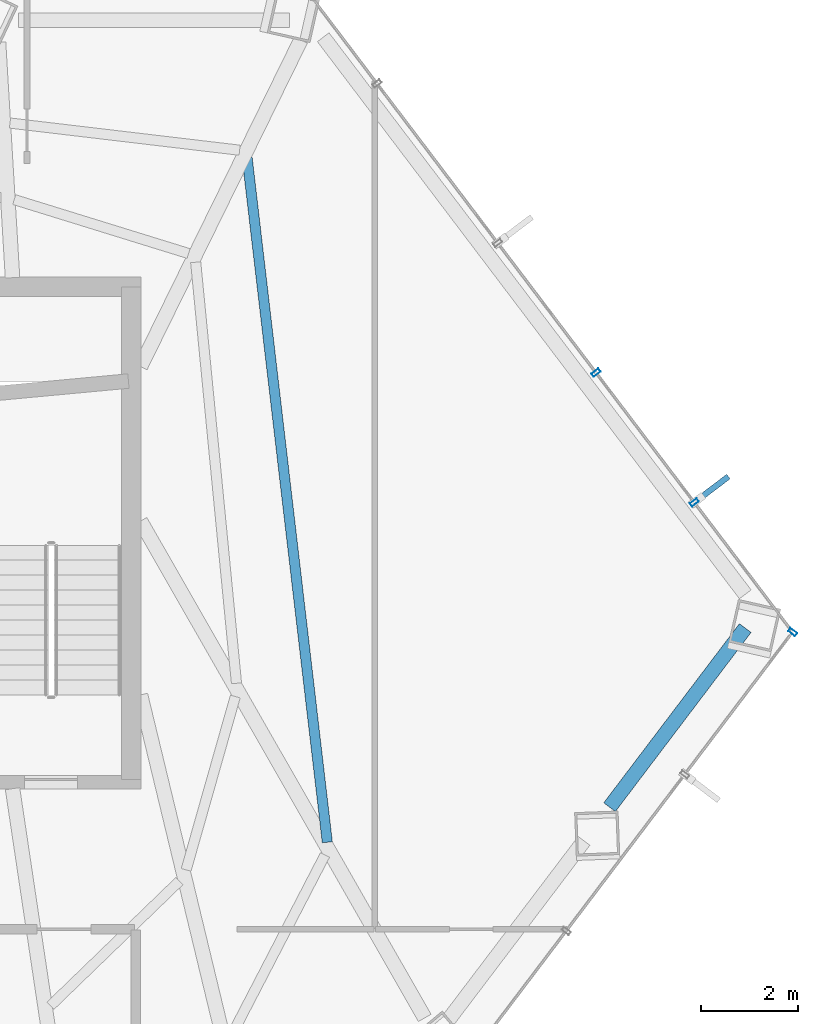
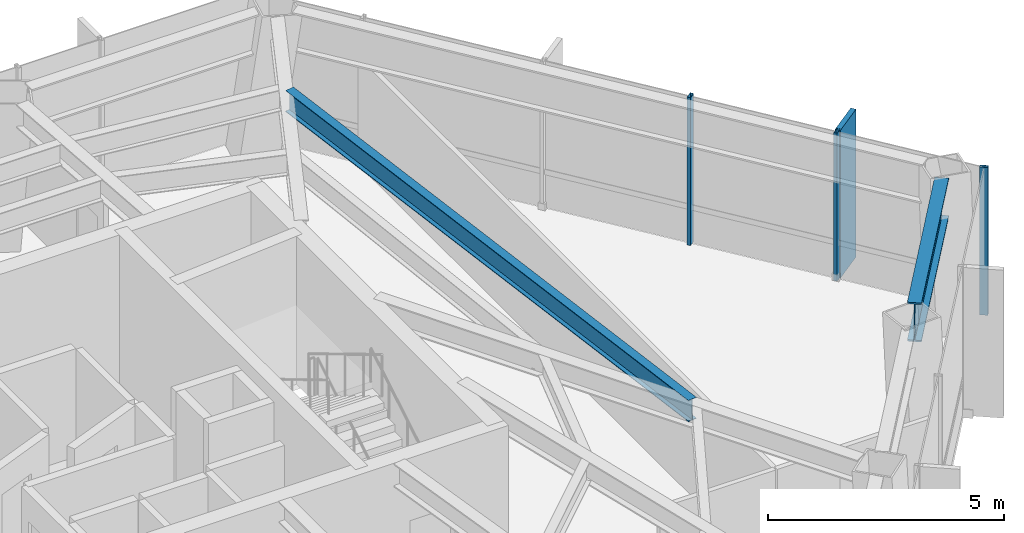
# One storey, part 20 of 27: 4 members, 2 beams, 2 elements without a shape of their own.
"""IFC4 building model written with IfcOpenShell, lengths in metres."""

from ifc_helpers import new_model, si_unit, direction, frame, origin, origin_2d, place, context, subcontext, project, spatial, rectangle, hollow_rectangle, i_section, extrude, material, layer, layer_set, material_profile, profile_set, type_object, element, aggregate, save


model = new_model("IFC4")

# Units and contexts
model_context = context("Model", 3, precision=1e-05, world=origin(), true_north=direction((0.0, 1.0)))
body_context = subcontext(model_context, "Body", "Model", "MODEL_VIEW")
ifc_project = project(units=[si_unit("LENGTHUNIT", "METRE"), si_unit("AREAUNIT", "SQUARE_METRE"), si_unit("VOLUMEUNIT", "CUBIC_METRE"), si_unit("PLANEANGLEUNIT", "RADIAN"), si_unit("MASSUNIT", "GRAM", prefix="KILO")], contexts=[model_context])

# Site, building, storey
site_placement = place(None, origin())
site = spatial("IfcSite", under=ifc_project, at=site_placement, CompositionType="ELEMENT")
building_placement = place(site_placement, origin())
building = spatial("IfcBuilding", under=site, at=building_placement, Name="Zarrinselat Tower", CompositionType="ELEMENT")
storey_placement = place(building_placement, frame((0.0, 0.0, 80.580078125)))
storey = spatial("IfcBuildingStorey", under=building, at=storey_placement, Name="L19", CompositionType="ELEMENT", Elevation=80.580078125)

# Beams
ifc_material_1 = material(Name="Steel S460M", Category="steel")
ifc_material_profile_1 = material_profile(ifc_material_1, i_section(OverallWidth=0.302001953125, OverallDepth=1.008056640625, WebThickness=0.02099609375, FlangeThickness=0.0400390625, at=origin_2d()), Name="HEM 1000")
ifc_profile_set_1 = profile_set([ifc_material_profile_1], Name="Steel S460M")
beam_type_1 = type_object("IfcBeamType", Name="BM-HEM1000", PredefinedType="BEAM", material=ifc_profile_set_1)
beam_1_placement = place(storey_placement, frame((58.1611328125, 32.677978515625, 3.31591796875), z_axis=(0.603855667107, 0.797093679126, 0.0), x_axis=(-0.797093679126, 0.603855667107, 0.0)))
element("IfcBeam", 1, at=beam_1_placement, inside=storey, type_object=beam_type_1, Name="L19 Perimeter Spandrel Girder SP14", PredefinedType="BEAM", context=body_context, shape_type="SweptSolid", body=[
    extrude(i_section(OverallWidth=0.302001953125, OverallDepth=1.008056640625, WebThickness=0.02099609375, FlangeThickness=0.0400390625, at=origin_2d()), origin(), (0.0, 0.0, 1.0), 4.65185546875),
])
ifc_material_2 = material(Name="Steel S355J2", Category="steel")
ifc_material_profile_2 = material_profile(ifc_material_2, i_section(OverallWidth=0.2099609375, OverallDepth=0.550048828125, WebThickness=0.010986328125, FlangeThickness=0.01708984375, at=origin_2d()), Name="IPE 550")
ifc_profile_set_2 = profile_set([ifc_material_profile_2], Name="Steel S355J2")
beam_type_2 = type_object("IfcBeamType", Name="BM-IPE550", PredefinedType="JOIST", material=ifc_profile_set_2)
beam_2_placement = place(storey_placement, frame((50.656982421875, 46.123291015625, 3.544921875), z_axis=(0.116361758988, -0.993206897401, 0.0), x_axis=(0.993206897401, 0.116361758988, 0.0)))
element("IfcBeam", 2, at=beam_2_placement, inside=storey, type_object=beam_type_2, Name="L19 Composite Floor Joist 5-1", PredefinedType="JOIST", context=body_context, shape_type="SweptSolid", body=[
    extrude(i_section(OverallWidth=0.2099609375, OverallDepth=0.550048828125, WebThickness=0.010986328125, FlangeThickness=0.01708984375, at=origin_2d()), origin(), (0.0, 0.0, 1.0), 14.269287109375),
])

# Curtain wall, member
ifc_material_3 = material(Name="Extruded Aluminium Alloy EN AW-6063 T6", Category="aluminium")
ifc_layer = layer(ifc_material_3, 0.18505859375)
ifc_layer_set = layer_set([ifc_layer], Name="Extruded Aluminium Alloy EN AW-6063 T6")
curtain_wall_type = type_object("IfcCurtainWallType", Name="CWS-OFF", PredefinedType="NOTDEFINED", material=ifc_layer_set)
curtain_wall_1_placement = place(storey_placement, origin())
curtain_wall_1 = element("IfcCurtainWall", 3, at=curtain_wall_1_placement, inside=storey, type_object=curtain_wall_type, Name="L19 Unitised Curtain Wall CW-L19-E05", PredefinedType="NOTDEFINED")
ifc_material_4 = material(Name="Extruded Aluminium Alloy EN AW-6063 T6", Category="aluminium")
ifc_material_profile_3 = material_profile(ifc_material_4, hollow_rectangle(XDim=0.080078125, YDim=0.179931640625, WallThickness=0.0048828125, at=origin_2d()), Name="RHS 180x80x5")
ifc_profile_set_3 = profile_set([ifc_material_profile_3], Name="Extruded Aluminium Alloy EN AW-6063 T6")
member_type_1 = type_object("IfcMemberType", Name="MEM-CW-MUL", PredefinedType="MULLION", material=ifc_profile_set_3)
member_1_placement = place(storey_placement, frame((61.95166015625, 36.301513671875, 0.0), z_axis=(0.0, 0.0, 1.0), x_axis=(0.603855086386, 0.797094119063, 0.0)))
member_1 = element("IfcMember", 4, at=member_1_placement, type_object=member_type_1, Name="CW-L19-E05 Mullion 6", PredefinedType="MULLION", context=body_context, shape_type="SweptSolid", body=[
    extrude(hollow_rectangle(XDim=0.080078125, YDim=0.179931640625, WallThickness=0.0048828125, at=origin_2d()), origin(), (0.0, 0.0, 1.0), 3.81982421875),
])
aggregate(curtain_wall_1, [member_1])

# Curtain wall, members
curtain_wall_2_placement = place(storey_placement, origin())
curtain_wall_2 = element("IfcCurtainWall", 5, at=curtain_wall_2_placement, inside=storey, type_object=curtain_wall_type, Name="L19 Unitised Curtain Wall CW-L19-E06", PredefinedType="NOTDEFINED")
member_2_placement = place(storey_placement, frame((59.91650390625, 38.98779296875, 0.0), z_axis=(0.0, 0.0, 1.0), x_axis=(-0.603856545426, 0.797093013736, 0.0)))
member_2 = element("IfcMember", 6, at=member_2_placement, type_object=member_type_1, Name="CW-L19-E06 Mullion 1", PredefinedType="MULLION", context=body_context, shape_type="SweptSolid", body=[
    extrude(hollow_rectangle(XDim=0.080078125, YDim=0.179931640625, WallThickness=0.0048828125, at=origin_2d()), origin(), (0.0, 0.0, 1.0), 3.81982421875),
])
member_3_placement = place(storey_placement, frame((57.881591796875, 41.67431640625, 0.0), z_axis=(0.0, 0.0, 1.0), x_axis=(-0.603856545426, 0.797093013736, 0.0)))
member_3 = element("IfcMember", 7, at=member_3_placement, type_object=member_type_1, Name="CW-L19-E06 Mullion 2", PredefinedType="MULLION", context=body_context, shape_type="SweptSolid", body=[
    extrude(hollow_rectangle(XDim=0.080078125, YDim=0.179931640625, WallThickness=0.0048828125, at=origin_2d()), origin(), (0.0, 0.0, 1.0), 3.81982421875),
])
ifc_material_5 = material(Name="Honed Cream Travertine Stone", Category="masonry")
ifc_material_profile_4 = material_profile(ifc_material_5, rectangle(XDim=0.1201171875, YDim=0.85009765625, at=origin_2d()), Name="FIN 850x120")
ifc_profile_set_4 = profile_set([ifc_material_profile_4], Name="Honed Cream Travertine Stone")
member_type_2 = type_object("IfcMemberType", Name="MEM-STONE-FIN", PredefinedType="USERDEFINED", material=ifc_profile_set_4)
member_4_placement = place(storey_placement, frame((60.283203125, 39.265625, 0.0), z_axis=(0.0, 0.0, 1.0), x_axis=(0.603856545426, -0.797093013736, 0.0)))
member_4 = element("IfcMember", 8, at=member_4_placement, type_object=member_type_2, Name="L19 Stone Shading Fin CW-L19-E06-01", ObjectType="FIN", PredefinedType="USERDEFINED", context=body_context, shape_type="SweptSolid", body=[
    extrude(rectangle(XDim=0.1201171875, YDim=0.85009765625, at=origin_2d()), origin(), (0.0, 0.0, 1.0), 3.81982421875),
])
aggregate(curtain_wall_2, [member_2, member_4, member_3])

save(model, "model.ifc")
